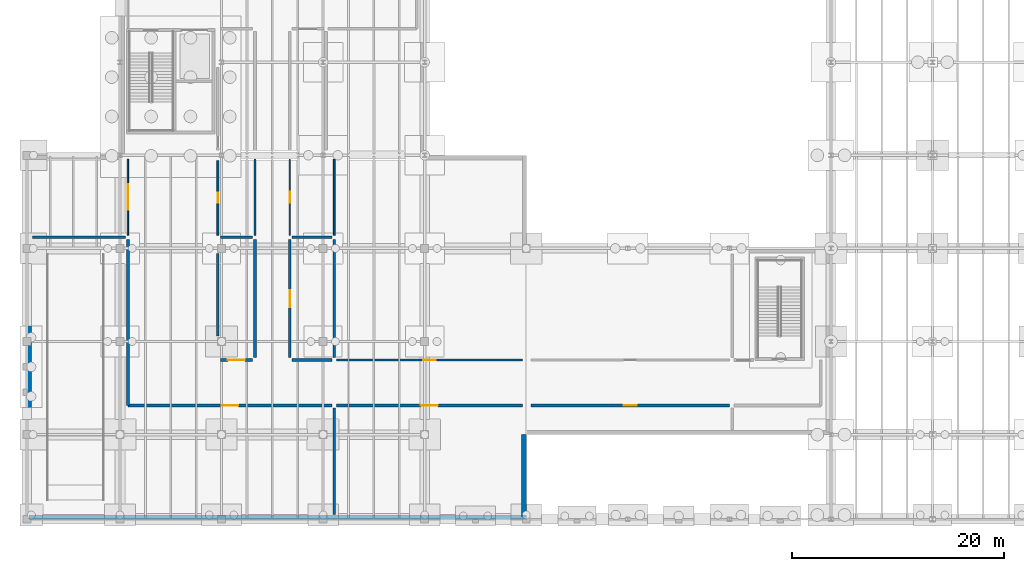
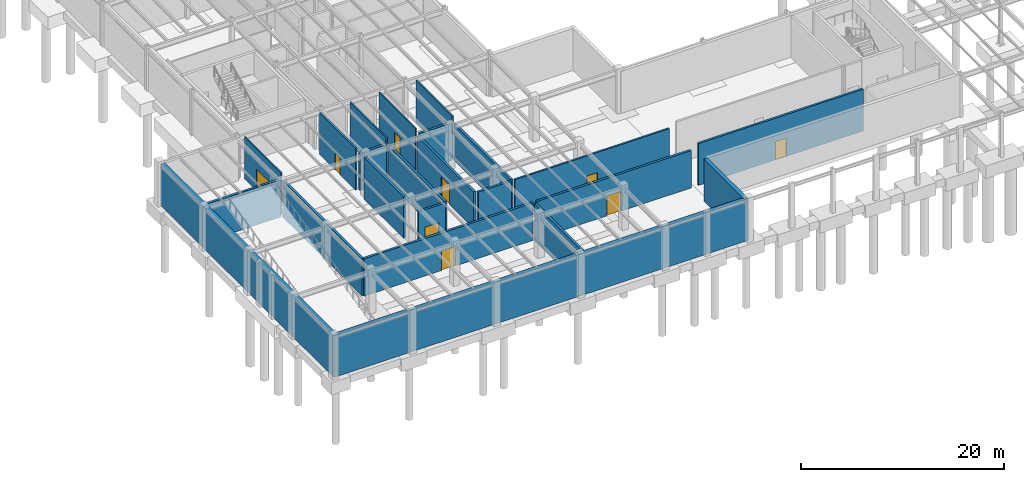
# One storey, part 29 of 48: 23 walls, 9 doors, 9 openings.
"""IFC4 building model written with IfcOpenShell, lengths in metres."""

from ifc_helpers import new_model, si_unit, direction, frame, frame_2d, origin, place, context, subcontext, project, spatial, rectangle, extrude, material, layer, layer_set, type_object, element, fill, save


model = new_model("IFC4")

# Units and contexts
model_context = context("Model", 3, precision=1e-05, world=origin(), true_north=direction((0.0, 1.0)))
body_context = subcontext(model_context, "Body", "Model", "MODEL_VIEW")
ifc_project = project(units=[si_unit("LENGTHUNIT", "METRE"), si_unit("AREAUNIT", "SQUARE_METRE"), si_unit("VOLUMEUNIT", "CUBIC_METRE"), si_unit("PLANEANGLEUNIT", "RADIAN"), si_unit("MASSUNIT", "GRAM", prefix="KILO")], contexts=[model_context])

# Site, building, storey
site_placement = place(None, origin())
site = spatial("IfcSite", under=ifc_project, at=site_placement, CompositionType="ELEMENT")
building_placement = place(site_placement, origin())
building = spatial("IfcBuilding", under=site, at=building_placement, Name="Sarnbrook Museum", CompositionType="ELEMENT")
storey_placement = place(building_placement, frame((0.0, 0.0, -5.39990234375)))
storey = spatial("IfcBuildingStorey", under=building, at=storey_placement, Name="B1", CompositionType="ELEMENT", Elevation=-5.39990234375)

# Wall, opening, door
ifc_material_1 = material(Name="Concrete N40 (AS 3600, f'c = 40 MPa)", Category="concrete")
ifc_layer_1 = layer(ifc_material_1, 0.260009765625)
ifc_layer_set_1 = layer_set([ifc_layer_1], Name="Concrete N40 (AS 3600, f'c = 40 MPa)")
wall_type_1 = type_object("IfcWallType", Name="FireWall_FW240", PredefinedType="SOLIDWALL", material=ifc_layer_set_1)
wall_1_placement = place(storey_placement, frame((14.360107421875, 15.550048828125, 0.0), z_axis=(0.0, 0.0, 1.0), x_axis=(1.0, 0.0, 0.0)))
wall_1 = element("IfcWall", 1, at=wall_1_placement, inside=storey, type_object=wall_type_1, Name="Interior Partition Wall B1-0101", PredefinedType="SOLIDWALL", context=body_context, shape_type="SweptSolid", body=[
    extrude(rectangle(XDim=19.269775390625, YDim=0.260009765625, at=frame_2d((9.634765625, 0.0))), origin(), (0.0, 0.0, 1.0), 4.5068359375),
])
opening_1_placement = place(wall_1_placement, frame((8.8349609375, 0.0, 0.0)))
opening_1 = element("IfcOpeningElement", 2, at=opening_1_placement, cuts=wall_1, Name="Opening D-B1-037", PredefinedType="OPENING", context=body_context, shape_type="SweptSolid", body=[
    extrude(rectangle(XDim=1.60009765625, YDim=2.39990234375, at=frame_2d((0.800048828125, 1.199951171875))), frame((0.0, 0.14013671875, 0.0), z_axis=(0.0, -1.0, 0.0), x_axis=(1.0, 0.0, 0.0)), (0.0, 0.0, 1.0), 0.280029296875),
])
ifc_material_2 = material(Name="Patinated Architectural Bronze")
door_type_1 = type_object("IfcDoorType", Name="FireDoor_FD240", OperationType="NOTDEFINED", PredefinedType="DOOR", material=ifc_material_2)
door_1_placement = place(opening_1_placement, origin())
door_1 = element("IfcDoor", 3, at=door_1_placement, inside=storey, type_object=door_type_1, Name="Collection Archive Vault B1-33 Door D-B1-037", OperationType="DOUBLE_DOOR_SINGLE_SWING", OverallHeight=2.39990234375, OverallWidth=1.60009765625, PredefinedType="DOOR", context=body_context, shape_type="SweptSolid", body=[
    extrude(rectangle(XDim=1.60009765625, YDim=2.39990234375, at=frame_2d((0.800048828125, 1.199951171875))), frame((0.0, 0.02490234375, 0.0), z_axis=(0.0, -1.0, 0.0), x_axis=(1.0, 0.0, 0.0)), (0.0, 0.0, 1.0), 0.050048828125),
])
fill(opening_1, door_1)

# Wall
wall_2_placement = place(storey_placement, frame((14.35009765625, 31.22998046875, 0.0), z_axis=(0.0, 0.0, 1.0), x_axis=(0.0, -1.0, 0.0)))
element("IfcWall", 4, at=wall_2_placement, inside=storey, type_object=wall_type_1, Name="Interior Partition Wall B1-0102", PredefinedType="SOLIDWALL", context=body_context, shape_type="SweptSolid", body=[
    extrude(rectangle(XDim=15.669921875, YDim=0.260009765625, at=frame_2d((7.8349609375, 0.0))), origin(), (0.0, 0.0, 1.0), 4.427978515625),
])

# Wall, opening, door
wall_3_placement = place(storey_placement, frame((26.1201171875, 19.85009765625, 0.0), z_axis=(0.0, 0.0, 1.0), x_axis=(-1.0, 0.0, 0.0)))
wall_3 = element("IfcWall", 5, at=wall_3_placement, inside=storey, type_object=wall_type_1, Name="Interior Partition Wall B1-0104", PredefinedType="SOLIDWALL", context=body_context, shape_type="SweptSolid", body=[
    extrude(rectangle(XDim=3.0400390625, YDim=0.260009765625, at=frame_2d((1.52001953125, 0.0))), origin(), (0.0, 0.0, 1.0), 4.5068359375),
])
opening_2_placement = place(wall_3_placement, frame((0.719970703125, 0.0, 0.0)))
opening_2 = element("IfcOpeningElement", 6, at=opening_2_placement, cuts=wall_3, Name="Opening D-B1-039", PredefinedType="OPENING", context=body_context, shape_type="SweptSolid", body=[
    extrude(rectangle(XDim=1.60009765625, YDim=2.39990234375, at=frame_2d((0.800048828125, 1.199951171875))), frame((0.0, 0.14013671875, 0.0), z_axis=(0.0, -1.0, 0.0), x_axis=(1.0, 0.0, 0.0)), (0.0, 0.0, 1.0), 0.280029296875),
])
door_2_placement = place(opening_2_placement, frame((1.60009765625, 0.0, 0.0), z_axis=(0.0, 0.0, 1.0), x_axis=(-1.0, 0.0, 0.0)))
door_2 = element("IfcDoor", 7, at=door_2_placement, inside=storey, type_object=door_type_1, Name="Collection Archive Vault B1-35 Door D-B1-039", OperationType="DOUBLE_DOOR_SINGLE_SWING", OverallHeight=2.39990234375, OverallWidth=1.60009765625, PredefinedType="DOOR", context=body_context, shape_type="SweptSolid", body=[
    extrude(rectangle(XDim=1.60009765625, YDim=2.39990234375, at=frame_2d((0.800048828125, 1.199951171875))), frame((0.0, 0.02490234375, 0.0), z_axis=(0.0, -1.0, 0.0), x_axis=(1.0, 0.0, 0.0)), (0.0, 0.0, 1.0), 0.050048828125),
])
fill(opening_2, door_2)

# Walls
wall_4_placement = place(storey_placement, frame((22.85009765625, 22.098388671875, 0.0), z_axis=(0.0, 0.0, 1.0), x_axis=(0.0, 1.0, 0.0)))
element("IfcWall", 8, at=wall_4_placement, inside=storey, type_object=wall_type_1, Name="Interior Partition Wall B1-0105", PredefinedType="SOLIDWALL", context=body_context, shape_type="SweptSolid", body=[
    extrude(rectangle(XDim=7.80322265625, YDim=0.260009765625, at=frame_2d((3.901611328125, 0.0))), origin(), (0.0, 0.0, 1.0), 5.02978515625),
])
wall_5_placement = place(storey_placement, frame((26.35009765625, 31.22998046875, 0.0), z_axis=(0.0, 0.0, 1.0), x_axis=(0.0, -1.0, 0.0)))
element("IfcWall", 9, at=wall_5_placement, inside=storey, type_object=wall_type_1, Name="Interior Partition Wall B1-0106", PredefinedType="SOLIDWALL", context=body_context, shape_type="SweptSolid", body=[
    extrude(rectangle(XDim=11.14990234375, YDim=0.260009765625, at=frame_2d((5.574951171875, 0.0))), origin(), (0.0, 0.0, 1.0), 4.427978515625),
])

# Wall, opening, door
wall_6_placement = place(storey_placement, frame((29.64990234375, 20.080078125, 0.0), z_axis=(0.0, 0.0, 1.0), x_axis=(0.0, 1.0, 0.0)))
wall_6 = element("IfcWall", 10, at=wall_6_placement, inside=storey, type_object=wall_type_1, Name="Interior Partition Wall B1-0109", PredefinedType="SOLIDWALL", context=body_context, shape_type="SweptSolid", body=[
    extrude(rectangle(XDim=11.14990234375, YDim=0.260009765625, at=frame_2d((5.574951171875, 0.0))), origin(), (0.0, 0.0, 1.0), 4.427978515625),
])
opening_3_placement = place(wall_6_placement, frame((4.77490234375, 0.0, 0.0)))
opening_3 = element("IfcOpeningElement", 11, at=opening_3_placement, cuts=wall_6, Name="Opening D-B1-041", PredefinedType="OPENING", context=body_context, shape_type="SweptSolid", body=[
    extrude(rectangle(XDim=1.60009765625, YDim=2.39990234375, at=frame_2d((0.800048828125, 1.199951171875))), frame((0.0, 0.14013671875, 0.0), z_axis=(0.0, -1.0, 0.0), x_axis=(1.0, 0.0, 0.0)), (0.0, 0.0, 1.0), 0.280029296875),
])
door_3_placement = place(opening_3_placement, frame((1.60009765625, 0.0, 0.0), z_axis=(0.0, 0.0, 1.0), x_axis=(-1.0, 0.0, 0.0)))
door_3 = element("IfcDoor", 12, at=door_3_placement, inside=storey, type_object=door_type_1, Name="Collection Archive Vault B1-37 Door D-B1-041", OperationType="DOUBLE_DOOR_SINGLE_SWING", OverallHeight=2.39990234375, OverallWidth=1.60009765625, PredefinedType="DOOR", context=body_context, shape_type="SweptSolid", body=[
    extrude(rectangle(XDim=1.60009765625, YDim=2.39990234375, at=frame_2d((0.800048828125, 1.199951171875))), frame((0.0, 0.02490234375, 0.0), z_axis=(0.0, -1.0, 0.0), x_axis=(1.0, 0.0, 0.0)), (0.0, 0.0, 1.0), 0.050048828125),
])
fill(opening_3, door_3)

# Wall
wall_7_placement = place(storey_placement, frame((33.6298828125, 19.85009765625, 0.0), z_axis=(0.0, 0.0, 1.0), x_axis=(-1.0, 0.0, 0.0)))
element("IfcWall", 13, at=wall_7_placement, inside=storey, type_object=wall_type_1, Name="Interior Partition Wall B1-0110", PredefinedType="SOLIDWALL", context=body_context, shape_type="SweptSolid", body=[
    extrude(rectangle(XDim=3.75, YDim=0.260009765625, at=frame_2d((1.875, 0.0))), origin(), (0.0, 0.0, 1.0), 4.5068359375),
])

# Wall, opening, door
wall_8_placement = place(storey_placement, frame((34.050048828125, 15.550048828125, 0.0), z_axis=(0.0, 0.0, 1.0), x_axis=(1.0, 0.0, 0.0)))
wall_8 = element("IfcWall", 14, at=wall_8_placement, inside=storey, type_object=wall_type_1, Name="Interior Partition Wall B1-0112", PredefinedType="SOLIDWALL", context=body_context, shape_type="SweptSolid", body=[
    extrude(rectangle(XDim=17.58984375, YDim=0.260009765625, at=frame_2d((8.794921875, 0.0))), origin(), (0.0, 0.0, 1.0), 4.5068359375),
])
opening_4_placement = place(wall_8_placement, frame((7.9951171875, 0.0, 0.0)))
opening_4 = element("IfcOpeningElement", 15, at=opening_4_placement, cuts=wall_8, Name="Opening D-B1-043", PredefinedType="OPENING", context=body_context, shape_type="SweptSolid", body=[
    extrude(rectangle(XDim=1.60009765625, YDim=2.39990234375, at=frame_2d((0.800048828125, 1.199951171875))), frame((0.0, 0.14013671875, 0.0), z_axis=(0.0, -1.0, 0.0), x_axis=(1.0, 0.0, 0.0)), (0.0, 0.0, 1.0), 0.280029296875),
])
door_4_placement = place(opening_4_placement, origin())
door_4 = element("IfcDoor", 16, at=door_4_placement, inside=storey, type_object=door_type_1, Name="Collection Archive Vault B1-39 Door D-B1-043", OperationType="DOUBLE_DOOR_SINGLE_SWING", OverallHeight=2.39990234375, OverallWidth=1.60009765625, PredefinedType="DOOR", context=body_context, shape_type="SweptSolid", body=[
    extrude(rectangle(XDim=1.60009765625, YDim=2.39990234375, at=frame_2d((0.800048828125, 1.199951171875))), frame((0.0, 0.02490234375, 0.0), z_axis=(0.0, -1.0, 0.0), x_axis=(1.0, 0.0, 0.0)), (0.0, 0.0, 1.0), 0.050048828125),
])
fill(opening_4, door_4)

# Walls
wall_9_placement = place(storey_placement, frame((5.330078125, 31.4599609375, 0.0), z_axis=(0.0, 0.0, 1.0), x_axis=(1.0, 0.0, 0.0)))
element("IfcWall", 17, at=wall_9_placement, inside=storey, type_object=wall_type_1, Name="Interior Partition Wall B1-0138", PredefinedType="SOLIDWALL", context=body_context, shape_type="SweptSolid", body=[
    extrude(rectangle(XDim=8.7900390625, YDim=0.260009765625, at=frame_2d((4.39501953125, 0.0))), origin(), (0.0, 0.0, 1.0), 4.5068359375),
])
wall_10_placement = place(storey_placement, frame((33.860107421875, 15.320068359375, 0.0), z_axis=(0.0, 0.0, 1.0), x_axis=(0.0, -1.0, 0.0)))
element("IfcWall", 18, at=wall_10_placement, inside=storey, type_object=wall_type_1, Name="Interior Partition Wall B1-0139", PredefinedType="SOLIDWALL", context=body_context, shape_type="SweptSolid", body=[
    extrude(rectangle(XDim=10.06005859375, YDim=0.260009765625, at=frame_2d((5.030029296875, 0.0))), origin(), (0.0, 0.0, 1.0), 4.427978515625),
])
wall_11_placement = place(storey_placement, frame((23.080078125, 31.4599609375, 0.0), z_axis=(0.0, 0.0, 1.0), x_axis=(1.0, 0.0, 0.0)))
element("IfcWall", 19, at=wall_11_placement, inside=storey, type_object=wall_type_1, Name="Interior Partition Wall B1-0140", PredefinedType="SOLIDWALL", context=body_context, shape_type="SweptSolid", body=[
    extrude(rectangle(XDim=3.0400390625, YDim=0.260009765625, at=frame_2d((1.52001953125, 0.0))), origin(), (0.0, 0.0, 1.0), 4.5068359375),
])
wall_12_placement = place(storey_placement, frame((29.8798828125, 31.4599609375, 0.0), z_axis=(0.0, 0.0, 1.0), x_axis=(1.0, 0.0, 0.0)))
element("IfcWall", 20, at=wall_12_placement, inside=storey, type_object=wall_type_1, Name="Interior Partition Wall B1-0141", PredefinedType="SOLIDWALL", context=body_context, shape_type="SweptSolid", body=[
    extrude(rectangle(XDim=3.75, YDim=0.260009765625, at=frame_2d((1.875, 0.0))), origin(), (0.0, 0.0, 1.0), 4.5068359375),
])
wall_13_placement = place(storey_placement, frame((33.860107421875, 31.22998046875, 0.0), z_axis=(0.0, 0.0, 1.0), x_axis=(0.0, -1.0, 0.0)))
element("IfcWall", 21, at=wall_13_placement, inside=storey, type_object=wall_type_1, Name="Interior Partition Wall B1-0142", PredefinedType="SOLIDWALL", context=body_context, shape_type="SweptSolid", body=[
    extrude(rectangle(XDim=11.14990234375, YDim=0.260009765625, at=frame_2d((5.574951171875, 0.0))), origin(), (0.0, 0.0, 1.0), 4.427978515625),
])

# Wall, opening, door
ifc_material_3 = material(Name="Fire-Rated Acoustic Gypsum Plasterboard")
ifc_layer_2 = layer(ifc_material_3, 0.1201171875)
ifc_layer_set_2 = layer_set([ifc_layer_2], Name="Fire-Rated Acoustic Gypsum Plasterboard")
wall_type_2 = type_object("IfcWallType", Name="PartWall_P120", PredefinedType="PARTITIONING", material=ifc_layer_set_2)
wall_14_placement = place(storey_placement, frame((29.64990234375, 31.64990234375, 0.0), z_axis=(0.0, 0.0, 1.0), x_axis=(0.0, 1.0, 0.0)))
wall_14 = element("IfcWall", 22, at=wall_14_placement, inside=storey, type_object=wall_type_2, Name="Interior Partition Wall B1-0111", PredefinedType="PARTITIONING", context=body_context, shape_type="SweptSolid", body=[
    extrude(rectangle(XDim=7.190185546875, YDim=0.1201171875, at=frame_2d((3.59521484375, 0.0))), origin(), (0.0, 0.0, 1.0), 5.02978515625),
])
opening_5_placement = place(wall_14_placement, frame((3.074951171875, 0.0, 0.0)))
opening_5 = element("IfcOpeningElement", 23, at=opening_5_placement, cuts=wall_14, Name="Opening D-B1-042", PredefinedType="OPENING", context=body_context, shape_type="SweptSolid", body=[
    extrude(rectangle(XDim=1.0400390625, YDim=2.080078125, at=frame_2d((0.52001953125, 1.0400390625))), frame((0.0, 0.070068359375, 0.0), z_axis=(0.0, -1.0, 0.0), x_axis=(1.0, 0.0, 0.0)), (0.0, 0.0, 1.0), 0.14013671875),
])
ifc_material_4 = material(Name="Tasmanian Oak Acoustic Timber", Category="wood")
door_type_2 = type_object("IfcDoorType", Name="IntDoor_DT04", OperationType="NOTDEFINED", PredefinedType="DOOR", material=ifc_material_4)
door_5_placement = place(opening_5_placement, frame((1.0400390625, 0.0, 0.0), z_axis=(0.0, 0.0, 1.0), x_axis=(-1.0, 0.0, 0.0)))
door_5 = element("IfcDoor", 24, at=door_5_placement, inside=storey, type_object=door_type_2, Name="Conservation Science Laboratory B1-38 Door D-B1-042", OperationType="SINGLE_SWING_RIGHT", OverallHeight=2.080078125, OverallWidth=1.0400390625, PredefinedType="DOOR", context=body_context, shape_type="SweptSolid", body=[
    extrude(rectangle(XDim=1.0400390625, YDim=2.080078125, at=frame_2d((0.52001953125, 1.0400390625))), frame((0.0, 0.02490234375, 0.0), z_axis=(0.0, -1.0, 0.0), x_axis=(1.0, 0.0, 0.0)), (0.0, 0.0, 1.0), 0.050048828125),
])
fill(opening_5, door_5)

ifc_layer_3 = layer(ifc_material_3, 0.135009765625)
ifc_layer_set_3 = layer_set([ifc_layer_3], Name="Fire-Rated Acoustic Gypsum Plasterboard")
wall_type_3 = type_object("IfcWallType", Name="PartWall_P135", PredefinedType="PARTITIONING", material=ifc_layer_set_3)
wall_15_placement = place(storey_placement, frame((14.35009765625, 38.840087890625, 0.0), z_axis=(0.0, 0.0, 1.0), x_axis=(0.0, -1.0, 0.0)))
wall_15 = element("IfcWall", 25, at=wall_15_placement, inside=storey, type_object=wall_type_3, Name="Interior Partition Wall B1-0103", PredefinedType="PARTITIONING", context=body_context, shape_type="SweptSolid", body=[
    extrude(rectangle(XDim=7.190185546875, YDim=0.135009765625, at=frame_2d((3.59521484375, 0.0))), origin(), (0.0, 0.0, 1.0), 5.02978515625),
])
opening_6_placement = place(wall_15_placement, frame((2.39501953125, 0.0, 0.0)))
opening_6 = element("IfcOpeningElement", 26, at=opening_6_placement, cuts=wall_15, Name="Opening D-B1-038", PredefinedType="OPENING", context=body_context, shape_type="SweptSolid", body=[
    extrude(rectangle(XDim=2.39990234375, YDim=2.580078125, at=frame_2d((1.199951171875, 1.2900390625))), frame((0.0, 0.07763671875, 0.0), z_axis=(0.0, -1.0, 0.0), x_axis=(1.0, 0.0, 0.0)), (0.0, 0.0, 1.0), 0.155029296875),
])
door_type_3 = type_object("IfcDoorType", Name="IntDoor_DT38", OperationType="NOTDEFINED", PredefinedType="DOOR", material=ifc_material_4)
door_6_placement = place(opening_6_placement, origin())
door_6 = element("IfcDoor", 27, at=door_6_placement, inside=storey, type_object=door_type_3, Name="Conservation Science Laboratory B1-34 Door D-B1-038", OperationType="DOUBLE_DOOR_SINGLE_SWING", OverallHeight=2.580078125, OverallWidth=2.39990234375, PredefinedType="DOOR", context=body_context, shape_type="SweptSolid", body=[
    extrude(rectangle(XDim=2.39990234375, YDim=2.580078125, at=frame_2d((1.199951171875, 1.2900390625))), frame((0.0, 0.02490234375, 0.0), z_axis=(0.0, -1.0, 0.0), x_axis=(1.0, 0.0, 0.0)), (0.0, 0.0, 1.0), 0.050048828125),
])
fill(opening_6, door_6)

# Walls
ifc_layer_4 = layer(ifc_material_3, 0.1650390625)
ifc_layer_set_4 = layer_set([ifc_layer_4], Name="Fire-Rated Acoustic Gypsum Plasterboard")
wall_type_4 = type_object("IfcWallType", Name="PartWall_P165", PredefinedType="PARTITIONING", material=ifc_layer_set_4)
for number, where, z_axis, x_axis, name in (
    (28, (26.35009765625, 38.840087890625, 0.0), (0.0, 0.0, 1.0), (0.0, -1.0, 0.0), "Interior Partition Wall B1-0108"),
    (29, (33.860107421875, 38.840087890625, 0.0), (0.0, 0.0, 1.0), (0.0, -1.0, 0.0), "Interior Partition Wall B1-0143"),
):
    element("IfcWall", number, at=place(storey_placement, frame(where, z_axis=z_axis, x_axis=x_axis)), inside=storey, type_object=wall_type_4, Name=name, PredefinedType="PARTITIONING", context=body_context, shape_type="SweptSolid", body=[
        extrude(rectangle(XDim=7.190185546875, YDim=0.1650390625, at=frame_2d((3.59521484375, 0.0))), origin(), (0.0, 0.0, 1.0), 5.02978515625),
    ])

# Wall, opening, door
ifc_layer_5 = layer(ifc_material_3, 0.179931640625)
ifc_layer_set_5 = layer_set([ifc_layer_5], Name="Fire-Rated Acoustic Gypsum Plasterboard")
wall_type_5 = type_object("IfcWallType", Name="PartWall_P180", PredefinedType="PARTITIONING", material=ifc_layer_set_5)
wall_16_placement = place(storey_placement, frame((22.85009765625, 31.64990234375, 0.0), z_axis=(0.0, 0.0, 1.0), x_axis=(0.0, 1.0, 0.0)))
wall_16 = element("IfcWall", 30, at=wall_16_placement, inside=storey, type_object=wall_type_5, Name="Interior Partition Wall B1-0107", PredefinedType="PARTITIONING", context=body_context, shape_type="SweptSolid", body=[
    extrude(rectangle(XDim=7.051513671875, YDim=0.179931640625, at=frame_2d((3.52587890625, 0.0))), origin(), (0.0, 0.0, 1.0), 5.02978515625),
])
opening_7_placement = place(wall_16_placement, frame((3.055908203125, 0.0, 0.0)))
opening_7 = element("IfcOpeningElement", 31, at=opening_7_placement, cuts=wall_16, Name="Opening D-B1-040", PredefinedType="OPENING", context=body_context, shape_type="SweptSolid", body=[
    extrude(rectangle(XDim=0.93994140625, YDim=2.080078125, at=frame_2d((0.469970703125, 1.0400390625))), frame((0.0, 0.10009765625, 0.0), z_axis=(0.0, -1.0, 0.0), x_axis=(1.0, 0.0, 0.0)), (0.0, 0.0, 1.0), 0.199951171875),
])
door_type_4 = type_object("IfcDoorType", Name="IntDoor_DT02", OperationType="NOTDEFINED", PredefinedType="DOOR", material=ifc_material_4)
door_7_placement = place(opening_7_placement, frame((0.93994140625, 0.0, 0.0), z_axis=(0.0, 0.0, 1.0), x_axis=(-1.0, 0.0, 0.0)))
door_7 = element("IfcDoor", 32, at=door_7_placement, inside=storey, type_object=door_type_4, Name="Conservation Science Laboratory B1-36 Door D-B1-040", OperationType="SINGLE_SWING_LEFT", OverallHeight=2.080078125, OverallWidth=0.93994140625, PredefinedType="DOOR", context=body_context, shape_type="SweptSolid", body=[
    extrude(rectangle(XDim=0.93994140625, YDim=2.080078125, at=frame_2d((0.469970703125, 1.0400390625))), frame((0.0, 0.02490234375, 0.0), z_axis=(0.0, -1.0, 0.0), x_axis=(1.0, 0.0, 0.0)), (0.0, 0.0, 1.0), 0.050048828125),
])
fill(opening_7, door_7)

ifc_layer_6 = layer(ifc_material_3, 0.195068359375)
ifc_layer_set_6 = layer_set([ifc_layer_6], Name="Fire-Rated Acoustic Gypsum Plasterboard")
wall_type_6 = type_object("IfcWallType", Name="PartWall_P195", PredefinedType="PARTITIONING", material=ifc_layer_set_6)
wall_17_placement = place(storey_placement, frame((51.639892578125, 19.85009765625, 0.0), z_axis=(0.0, 0.0, 1.0), x_axis=(-1.0, 0.0, 0.0)))
wall_17 = element("IfcWall", 33, at=wall_17_placement, inside=storey, type_object=wall_type_6, Name="Interior Partition Wall B1-0113", PredefinedType="PARTITIONING", context=body_context, shape_type="SweptSolid", body=[
    extrude(rectangle(XDim=17.58984375, YDim=0.195068359375, at=frame_2d((8.794921875, 0.0))), origin(), (0.0, 0.0, 1.0), 4.5068359375),
])
opening_8_placement = place(wall_17_placement, frame((8.205078125, 0.0, 0.0)))
opening_8 = element("IfcOpeningElement", 34, at=opening_8_placement, cuts=wall_17, Name="Opening D-B1-044", PredefinedType="OPENING", context=body_context, shape_type="SweptSolid", body=[
    extrude(rectangle(XDim=1.179931640625, YDim=2.080078125, at=frame_2d((0.58984375, 1.0400390625))), frame((0.0, 0.107421875, 0.0), z_axis=(0.0, -1.0, 0.0), x_axis=(1.0, 0.0, 0.0)), (0.0, 0.0, 1.0), 0.215087890625),
])
door_type_5 = type_object("IfcDoorType", Name="IntDoor_DT06", OperationType="NOTDEFINED", PredefinedType="DOOR", material=ifc_material_4)
door_8_placement = place(opening_8_placement, frame((1.179931640625, 0.0, 0.0), z_axis=(0.0, 0.0, 1.0), x_axis=(-1.0, 0.0, 0.0)))
door_8 = element("IfcDoor", 35, at=door_8_placement, inside=storey, type_object=door_type_5, Name="Conservation Science Laboratory B1-40 Door D-B1-044", OperationType="SINGLE_SWING_LEFT", OverallHeight=2.080078125, OverallWidth=1.179931640625, PredefinedType="DOOR", context=body_context, shape_type="SweptSolid", body=[
    extrude(rectangle(XDim=1.179931640625, YDim=2.080078125, at=frame_2d((0.58984375, 1.0400390625))), frame((0.0, 0.02490234375, 0.0), z_axis=(0.0, -1.0, 0.0), x_axis=(1.0, 0.0, 0.0)), (0.0, 0.0, 1.0), 0.050048828125),
])
fill(opening_8, door_8)

ifc_layer_7 = layer(ifc_material_1, 0.239990234375)
ifc_layer_set_7 = layer_set([ifc_layer_7], Name="Concrete N40 (AS 3600, f'c = 40 MPa)")
wall_type_7 = type_object("IfcWallType", Name="ShaftWall_SWRC", PredefinedType="SOLIDWALL", material=ifc_layer_set_7)
wall_18_placement = place(storey_placement, frame((52.449951171875, 15.550048828125, 0.0), z_axis=(0.0, 0.0, 1.0), x_axis=(1.0, 0.0, 0.0)))
wall_18 = element("IfcWall", 36, at=wall_18_placement, inside=storey, type_object=wall_type_7, Name="Interior Partition Wall B1-0062", PredefinedType="SOLIDWALL", context=body_context, shape_type="SweptSolid", body=[
    extrude(rectangle(XDim=18.780029296875, YDim=0.239990234375, at=frame_2d((9.39013671875, 0.0))), origin(), (0.0, 0.0, 1.0), 5.02978515625),
])
opening_9_placement = place(wall_18_placement, frame((8.764892578125, 0.0, 0.0)))
opening_9 = element("IfcOpeningElement", 37, at=opening_9_placement, cuts=wall_18, Name="Opening D-B1-020", PredefinedType="OPENING", context=body_context, shape_type="SweptSolid", body=[
    extrude(rectangle(XDim=1.25, YDim=2.199951171875, at=frame_2d((0.625, 1.10009765625))), frame((0.0, 0.1298828125, 0.0), z_axis=(0.0, -1.0, 0.0), x_axis=(1.0, 0.0, 0.0)), (0.0, 0.0, 1.0), 0.260009765625),
])
door_type_6 = type_object("IfcDoorType", Name="FireDoor_FD120", OperationType="NOTDEFINED", PredefinedType="DOOR", material=ifc_material_4)
door_9_placement = place(opening_9_placement, origin())
door_9 = element("IfcDoor", 38, at=door_9_placement, inside=storey, type_object=door_type_6, Name="Main HV Switchroom & Substation B1-16 Door D-B1-020", OperationType="SINGLE_SWING_LEFT", OverallHeight=2.199951171875, OverallWidth=1.25, PredefinedType="DOOR", context=body_context, shape_type="SweptSolid", body=[
    extrude(rectangle(XDim=1.25, YDim=2.199951171875, at=frame_2d((0.625, 1.10009765625))), frame((0.0, 0.02490234375, 0.0), z_axis=(0.0, -1.0, 0.0), x_axis=(1.0, 0.0, 0.0)), (0.0, 0.0, 1.0), 0.050048828125),
])
fill(opening_9, door_9)

# Walls
ifc_layer_8 = layer(ifc_material_1, 0.3798828125)
ifc_layer_set_8 = layer_set([ifc_layer_8], Name="Concrete N40 (AS 3600, f'c = 40 MPa)")
wall_type_8 = type_object("IfcWallType", Name="Wall_RetainingRC380", PredefinedType="USERDEFINED", material=ifc_layer_set_8)
wall_19_placement = place(storey_placement, frame((4.99609375, 4.989990234375, 0.0), z_axis=(0.0, 0.0, 1.0), x_axis=(1.0, 0.0, 0.0)))
element("IfcWall", 39, at=wall_19_placement, inside=storey, type_object=wall_type_8, Name="Basement Perimeter Retaining Wall RW-24", ObjectType="RETAININGWALL", PredefinedType="USERDEFINED", context=body_context, shape_type="SweptSolid", body=[
    extrude(rectangle(XDim=47.00390625, YDim=0.3798828125, at=frame_2d((23.501953125, 0.0))), origin(), (0.0, 0.0, 1.0), 5.059814453125),
])
ifc_layer_9 = layer(ifc_material_1, 0.449951171875)
ifc_layer_set_9 = layer_set([ifc_layer_9], Name="Concrete N40 (AS 3600, f'c = 40 MPa)")
wall_type_9 = type_object("IfcWallType", Name="Wall_RetainingRC450", PredefinedType="USERDEFINED", material=ifc_layer_set_9)
wall_20_placement = place(storey_placement, frame((5.02490234375, 38.968994140625, 0.0), z_axis=(0.0, 0.0, 1.0), x_axis=(0.0, -1.0, 0.0)))
element("IfcWall", 40, at=wall_20_placement, inside=storey, type_object=wall_type_9, Name="Basement Perimeter Retaining Wall RW-23", ObjectType="RETAININGWALL", PredefinedType="USERDEFINED", context=body_context, shape_type="SweptSolid", body=[
    extrude(rectangle(XDim=34.1689453125, YDim=0.449951171875, at=frame_2d((17.08447265625, 0.0))), origin(), (0.0, 0.0, 1.0), 5.059814453125),
])
wall_21_placement = place(storey_placement, frame((51.77490234375, 5.031005859375, 0.0), z_axis=(0.0, 0.0, 1.0), x_axis=(0.0, 1.0, 0.0)))
element("IfcWall", 41, at=wall_21_placement, inside=storey, type_object=wall_type_9, Name="Basement Perimeter Retaining Wall RW-25", ObjectType="RETAININGWALL", PredefinedType="USERDEFINED", context=body_context, shape_type="SweptSolid", body=[
    extrude(rectangle(XDim=7.76904296875, YDim=0.449951171875, at=frame_2d((3.884521484375, 0.0))), origin(), (0.0, 0.0, 1.0), 5.059814453125),
])

save(model, "model.ifc")
